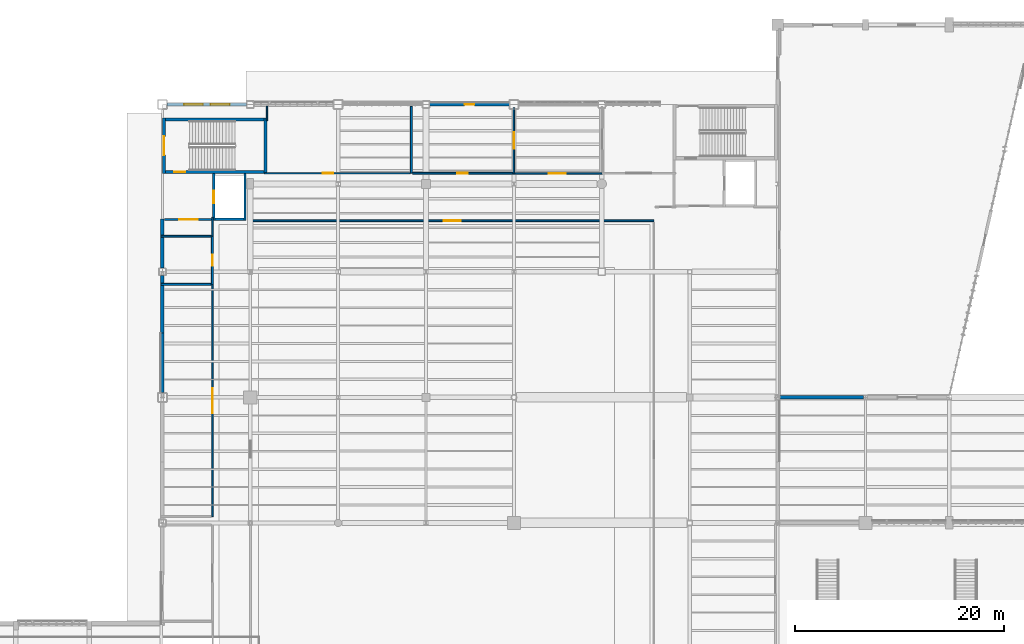
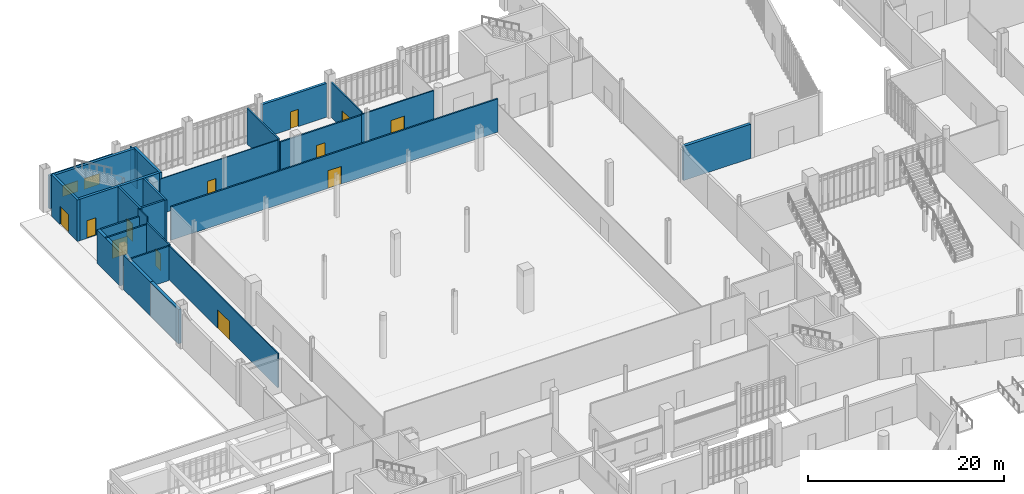
# One storey, part 89 of 111: 26 walls, 12 doors, 2 windows, 14 openings.
"""IFC4 building model written with IfcOpenShell, lengths in metres."""

import ifcopenshell
import ifcopenshell.guid

model = None  # the IFC model being written
_history = None  # IfcOwnerHistory: only IFC2X3 demands one
_inside = {}  # id of a spatial element -> (the spatial element, [elements in it])
_under = {}  # id of a project, library or spatial element -> (it, [spatial elements below it])
_declared = {}  # id of a project -> (the project, [libraries it declares])
_typed = {}  # id of a type object -> (the type object, [elements of that type])
_made_of = {}  # id of a material, layer set ... -> (it, [elements and type objects made of it])


def new_model(schema):
    """Start an empty IFC model of exactly this schema.

    Asked for "IFC4X3", IfcOpenShell would pick the latest addendum, in which some entities
    have other attributes; the version numbers below select the first issue.
    IFC2X3 requires an IfcOwnerHistory on every rooted entity: one is made here for all.
    """
    global model, _history
    if schema == "IFC4X3":
        model = ifcopenshell.file(schema_version=(4, 3, 0, 0))
    else:
        model = ifcopenshell.file(schema=schema)
    _inside.clear()
    _under.clear()
    _declared.clear()
    _typed.clear()
    _made_of.clear()
    _history = None
    if model.schema == "IFC2X3":
        org = make("IfcOrganization", Name="unknown")
        user = make(
            "IfcPersonAndOrganization",
            ThePerson=make("IfcPerson", FamilyName="unknown"),
            TheOrganization=org,
        )
        app = make(
            "IfcApplication",
            ApplicationDeveloper=org,
            Version="unknown",
            ApplicationFullName="unknown",
            ApplicationIdentifier="unknown",
        )
        _history = make(
            "IfcOwnerHistory",
            OwningUser=user,
            OwningApplication=app,
            ChangeAction="ADDED",
            CreationDate=0,
        )
    return model


def make(cls, **values):
    """One entity of the class cls with the attributes given. An attribute that is None is left unset."""
    return model.create_entity(
        cls, **{name: value for name, value in values.items() if value is not None}
    )


def rooted(cls, **values):
    """An entity with a GlobalId (a new one), such as an element, a storey or a relation."""
    return make(cls, GlobalId=ifcopenshell.guid.new(), OwnerHistory=_history, **values)


def si_unit(unit_type, name, prefix=None):
    """IfcSIUnit, for example si_unit("LENGTHUNIT", "METRE", prefix="MILLI")."""
    return make("IfcSIUnit", UnitType=unit_type, Prefix=prefix, Name=name)


def assignment(units):
    """IfcUnitAssignment: the units of a project."""
    return None if units is None else make("IfcUnitAssignment", Units=units)


def point(xyz):
    """IfcCartesianPoint."""
    return None if xyz is None else make("IfcCartesianPoint", Coordinates=xyz)


def direction(xyz):
    """IfcDirection."""
    return None if xyz is None else make("IfcDirection", DirectionRatios=xyz)


def frame(location, z_axis=None, x_axis=None):
    """IfcAxis2Placement3D, a coordinate frame: its origin and axes. An axis left out is left unset."""
    return make(
        "IfcAxis2Placement3D",
        Location=point(location),
        Axis=direction(z_axis),
        RefDirection=direction(x_axis),
    )


def frame_2d(location, x_axis=None):
    """IfcAxis2Placement2D, a coordinate frame in the plane: its origin and x axis."""
    return make(
        "IfcAxis2Placement2D", Location=point(location), RefDirection=direction(x_axis)
    )


def origin():
    """The frame at (0, 0, 0) with its axes left unset."""
    return frame((0.0, 0.0, 0.0))


def place(relative_to, where):
    """IfcLocalPlacement: puts the frame where relative to a parent placement (None: the world)."""
    return make(
        "IfcLocalPlacement", PlacementRelTo=relative_to, RelativePlacement=where
    )


def context(
    kind, dimensions, precision=None, world=None, true_north=None, identifier=None
):
    """IfcGeometricRepresentationContext, for example the 3D "Model" context."""
    return make(
        "IfcGeometricRepresentationContext",
        ContextIdentifier=identifier,
        ContextType=kind,
        CoordinateSpaceDimension=dimensions,
        Precision=precision,
        WorldCoordinateSystem=world,
        TrueNorth=true_north,
    )


def subcontext(parent, identifier, kind, view, scale=None):
    """IfcGeometricRepresentationSubContext, for example "Body" below "Model"."""
    return make(
        "IfcGeometricRepresentationSubContext",
        ContextIdentifier=identifier,
        ContextType=kind,
        ParentContext=parent,
        TargetScale=scale,
        TargetView=view,
    )


def project(units=None, contexts=None):
    """IfcProject with its units and contexts."""
    return rooted(
        "IfcProject",
        Name="project",
        RepresentationContexts=contexts,
        UnitsInContext=assignment(units),
    )


def spatial(cls, under=None, at=None, **own):
    """A site, building, storey or space (cls), placed at a placement, below another one or the project."""
    s = rooted(cls, ObjectPlacement=at, **own)
    if under is not None:
        _under.setdefault(under.id(), (under, []))[1].append(s)
    return s


def profile(cls, at=None, kind="AREA", **sizes):
    """A parametric profile (cls). Its sizes go by their IFC names, for example OverallWidth=200.0."""
    return make(cls, ProfileType=kind, Position=at, **sizes)


def rectangle(**sizes):
    """IfcRectangleProfileDef."""
    return profile("IfcRectangleProfileDef", **sizes)


def extrude(swept, where, along, depth):
    """IfcExtrudedAreaSolid: the profile swept, set in the frame where, extruded along a direction by depth."""
    return make(
        "IfcExtrudedAreaSolid",
        SweptArea=swept,
        Position=where,
        ExtrudedDirection=direction(along),
        Depth=depth,
    )


def shape(context_of_items, identifier, shape_type, items):
    """IfcShapeRepresentation: the items that make up one representation, for example the "Body"."""
    return make(
        "IfcShapeRepresentation",
        ContextOfItems=context_of_items,
        RepresentationIdentifier=identifier,
        RepresentationType=shape_type,
        Items=items,
    )


def material(Name=None, Category=None):
    """IfcMaterial."""
    return make("IfcMaterial", Name=Name, Category=Category)


def layer(
    of_material, thickness, ventilated=None, Name=None, Category=None, Priority=None
):
    """IfcMaterialLayer: one layer of a wall or slab, of a material (None: an air gap)."""
    return make(
        "IfcMaterialLayer",
        Material=of_material,
        LayerThickness=thickness,
        IsVentilated=ventilated,
        Name=Name,
        Category=Category,
        Priority=Priority,
    )


def layer_set(layers, Name=None):
    """IfcMaterialLayerSet."""
    return make("IfcMaterialLayerSet", MaterialLayers=layers, LayerSetName=Name)


def made_of(thing, what):
    """Note that an element or type object is made of a material, layer set ...; save() writes the relation."""
    if what is not None:
        _made_of.setdefault(what.id(), (what, []))[1].append(thing)
    return thing


def type_object(cls, material=None, **own):
    """A type object (cls), such as IfcWallType, which elements share."""
    return made_of(rooted(cls, **own), material)


def element(
    cls,
    number,
    at=None,
    inside=None,
    cuts=None,
    type_object=None,
    material=None,
    context=None,
    identifier="Body",
    shape_type=None,
    held_by="IfcProductDefinitionShape",
    body=None,
    shapes=None,
    **own,
):
    """One element of the class cls, such as IfcWall. Its Tag is "e" and its number.

    at: its placement. inside: the storey or other place that contains it. cuts: it is an
    opening in that element (IfcRelVoidsElement). A single representation is given by context,
    identifier, shape_type and body (its items); several are given by shapes. held_by: the class
    of the entity that holds the representations. save() writes the other relations.
    """
    e = rooted(cls, Tag="e%d" % number, ObjectPlacement=at, **own)
    if body is not None:
        shapes = [shape(context, identifier, shape_type, body)]
    if shapes is not None:
        e.Representation = make(held_by, Representations=shapes)
    if inside is not None:
        _inside.setdefault(inside.id(), (inside, []))[1].append(e)
    if cuts is not None:
        rooted(
            "IfcRelVoidsElement", RelatingBuildingElement=cuts, RelatedOpeningElement=e
        )
    if type_object is not None:
        _typed.setdefault(type_object.id(), (type_object, []))[1].append(e)
    return made_of(e, material)


def fill(opening, filler):
    """IfcRelFillsElement: the door or window that sits in an opening."""
    return rooted(
        "IfcRelFillsElement",
        RelatingOpeningElement=opening,
        RelatedBuildingElement=filler,
    )


def aggregate(whole, parts):
    """IfcRelAggregates: a whole, such as a stair, and the parts it consists of."""
    return rooted("IfcRelAggregates", RelatingObject=whole, RelatedObjects=parts)


def save(model, path):
    """Write the relations noted so far, then the file.

    IfcRelAggregates (storeys below a building ...), IfcRelContainedInSpatialStructure (elements
    in a storey), IfcRelDefinesByType, IfcRelAssociatesMaterial and IfcRelDeclares: one each for
    every whole, place, type object, material and project.
    """
    for whole, parts in _under.values():
        aggregate(whole, parts)
    for where, things in _inside.values():
        rooted(
            "IfcRelContainedInSpatialStructure",
            RelatedElements=things,
            RelatingStructure=where,
        )
    for kind, things in _typed.values():
        rooted("IfcRelDefinesByType", RelatedObjects=things, RelatingType=kind)
    for what, things in _made_of.values():
        rooted("IfcRelAssociatesMaterial", RelatedObjects=things, RelatingMaterial=what)
    for by, libraries in _declared.values():
        rooted("IfcRelDeclares", RelatingContext=by, RelatedDefinitions=libraries)
    model.write(path)


model = new_model("IFC4")

# Units and contexts
model_context = context("Model", 3, precision=1e-05, world=origin(), true_north=direction((0.0, 1.0)))
body_context = subcontext(model_context, "Body", "Model", "MODEL_VIEW")
ifc_project = project(units=[si_unit("LENGTHUNIT", "METRE"), si_unit("AREAUNIT", "SQUARE_METRE"), si_unit("VOLUMEUNIT", "CUBIC_METRE"), si_unit("PLANEANGLEUNIT", "RADIAN"), si_unit("MASSUNIT", "GRAM", prefix="KILO")], contexts=[model_context])

# Site, building, storey
site_placement = place(None, origin())
site = spatial("IfcSite", under=ifc_project, at=site_placement, CompositionType="ELEMENT")
building_placement = place(site_placement, origin())
building = spatial("IfcBuilding", under=site, at=building_placement, Name="Larkvane Passage Sports Hall", CompositionType="ELEMENT")
storey_placement = place(building_placement, origin())
storey = spatial("IfcBuildingStorey", under=building, at=storey_placement, Name="L00", CompositionType="ELEMENT", Elevation=0.0)

# Wall
ifc_material_1 = material(Name="Concrete C50/60", Category="concrete")
ifc_layer_1 = layer(ifc_material_1, 0.340087890625)
ifc_layer_set_1 = layer_set([ifc_layer_1], Name="Concrete C50/60")
wall_type_1 = type_object("IfcWallType", Name="WL-CORE-340", PredefinedType="SHEAR", material=ifc_layer_set_1)
wall_1_placement = place(storey_placement, frame((44.64990234375, 90.300048828125, 0.0), z_axis=(0.0, 0.0, 1.0), x_axis=(0.0, -1.0, 0.0)))
element("IfcWall", 1, at=wall_1_placement, inside=storey, type_object=wall_type_1, Name="Core shear wall WAL-CORE-C2-L00-E", PredefinedType="SHEAR", context=body_context, shape_type="SweptSolid", body=[
    extrude(rectangle(XDim=5.300048828125, YDim=0.300048828125, at=frame_2d((2.64990234375, 0.0))), origin(), (0.0, 0.0, 1.0), 5.169921875),
])

# Wall, opening, door
wall_2_placement = place(storey_placement, frame((44.5, 85.14990234375, 0.0), z_axis=(0.0, 0.0, 1.0), x_axis=(-1.0, 0.0, 0.0)))
wall_2 = element("IfcWall", 2, at=wall_2_placement, inside=storey, type_object=wall_type_1, Name="Core shear wall WAL-CORE-C2-L00-S", PredefinedType="SHEAR", context=body_context, shape_type="SweptSolid", body=[
    extrude(rectangle(XDim=9.39990234375, YDim=0.300048828125, at=frame_2d((4.699951171875, 0.0))), origin(), (0.0, 0.0, 1.0), 5.169921875),
])
opening_1_placement = place(wall_2_placement, frame((7.5, 0.0, 0.0)))
opening_1 = element("IfcOpeningElement", 3, at=opening_1_placement, cuts=wall_2, Name="Opening DF-01", PredefinedType="OPENING", context=body_context, shape_type="SweptSolid", body=[
    extrude(rectangle(XDim=1.050048828125, YDim=2.199951171875, at=frame_2d((0.52490234375, 1.10009765625))), frame((0.0, 0.159912109375, 0.0), z_axis=(0.0, -1.0, 0.0), x_axis=(1.0, 0.0, 0.0)), (0.0, 0.0, 1.0), 0.320068359375),
])
ifc_material_2 = material(Name="Steel S355JR smoke-sealed fire door", Category="steel")
door_type_1 = type_object("IfcDoorType", Name="DR-FIRE-1050", OperationType="NOTDEFINED", PredefinedType="DOOR", material=ifc_material_2)
door_1_placement = place(opening_1_placement, origin())
door_1 = element("IfcDoor", 4, at=door_1_placement, inside=storey, type_object=door_type_1, Name="Stair ST-02 L00 fire door", OperationType="SINGLE_SWING_RIGHT", OverallHeight=2.199951171875, OverallWidth=1.050048828125, PredefinedType="DOOR", context=body_context, shape_type="SweptSolid", body=[
    extrude(rectangle(XDim=1.050048828125, YDim=2.199951171875, at=frame_2d((0.52490234375, 1.10009765625))), frame((0.0, 0.02490234375, 0.0), z_axis=(0.0, -1.0, 0.0), x_axis=(1.0, 0.0, 0.0)), (0.0, 0.0, 1.0), 0.050048828125),
])
fill(opening_1, door_1)

# Wall
wall_3_placement = place(storey_placement, frame((35.10009765625, 90.14990234375, 0.0), z_axis=(0.0, 0.0, 1.0), x_axis=(1.0, 0.0, 0.0)))
element("IfcWall", 5, at=wall_3_placement, inside=storey, type_object=wall_type_1, Name="Core shear wall WAL-CORE-C2-L00-N", PredefinedType="SHEAR", context=body_context, shape_type="SweptSolid", body=[
    extrude(rectangle(XDim=9.39990234375, YDim=0.300048828125, at=frame_2d((4.699951171875, 0.0))), origin(), (0.0, 0.0, 1.0), 5.169921875),
])

# Wall, opening, door
ifc_layer_2 = layer(ifc_material_1, 0.340087890625)
ifc_layer_set_2 = layer_set([ifc_layer_2], Name="Concrete C50/60")
wall_type_2 = type_object("IfcWallType", Name="WL-CORE-EXT-340", PredefinedType="SHEAR", material=ifc_layer_set_2)
wall_4_placement = place(storey_placement, frame((34.949951171875, 85.0, 0.0), z_axis=(0.0, 0.0, 1.0), x_axis=(0.0, 1.0, 0.0)))
wall_4 = element("IfcWall", 6, at=wall_4_placement, inside=storey, type_object=wall_type_2, Name="Core shear wall WAL-CORE-C2-L00-W", PredefinedType="SHEAR", context=body_context, shape_type="SweptSolid", body=[
    extrude(rectangle(XDim=5.300048828125, YDim=0.300048828125, at=frame_2d((2.64990234375, 0.0))), origin(), (0.0, 0.0, 1.0), 5.169921875),
])
opening_2_placement = place(wall_4_placement, frame((1.75, 0.0, 0.0)))
opening_2 = element("IfcOpeningElement", 7, at=opening_2_placement, cuts=wall_4, Name="Opening DE-03", PredefinedType="OPENING", context=body_context, shape_type="SweptSolid", body=[
    extrude(rectangle(XDim=1.800048828125, YDim=2.25, at=frame_2d((0.89990234375, 1.125))), frame((0.0, 0.159912109375, 0.0), z_axis=(0.0, -1.0, 0.0), x_axis=(1.0, 0.0, 0.0)), (0.0, 0.0, 1.0), 0.320068359375),
])
ifc_material_3 = material(Name="Galvanised steel S355JR fire exit leaf", Category="steel")
door_type_2 = type_object("IfcDoorType", Name="DR-EXIT-1800", OperationType="DOUBLE_DOOR_SINGLE_SWING", PredefinedType="DOOR", material=ifc_material_3)
door_2_placement = place(opening_2_placement, origin())
door_2 = element("IfcDoor", 8, at=door_2_placement, inside=storey, type_object=door_type_2, Name="Stair ST-02 L00 direct final exit door", OperationType="DOUBLE_DOOR_SINGLE_SWING", OverallHeight=2.25, OverallWidth=1.800048828125, PredefinedType="DOOR", context=body_context, shape_type="SweptSolid", body=[
    extrude(rectangle(XDim=1.800048828125, YDim=2.25, at=frame_2d((0.89990234375, 1.125))), frame((0.0, 0.02490234375, 0.0), z_axis=(0.0, -1.0, 0.0), x_axis=(1.0, 0.0, 0.0)), (0.0, 0.0, 1.0), 0.050048828125),
])
fill(opening_2, door_2)

# Wall, openings, windows
ifc_material_4 = material(Name="Concrete C40/50", Category="concrete")
ifc_layer_3 = layer(ifc_material_4, 0.27490234375)
ifc_layer_set_3 = layer_set([ifc_layer_3], Name="Concrete C40/50")
wall_type_3 = type_object("IfcWallType", Name="WL-EXT-275", PredefinedType="SOLIDWALL", material=ifc_layer_set_3)
wall_5_placement = place(storey_placement, frame((35.24609375, 91.60009765625, 0.0), z_axis=(0.0, 0.0, 1.0), x_axis=(1.0, 0.0, 0.0)))
wall_5 = element("IfcWall", 9, at=wall_5_placement, inside=storey, type_object=wall_type_3, Name="Exterior wall WAL-EXT-L00-019", PredefinedType="SOLIDWALL", context=body_context, shape_type="SweptSolid", body=[
    extrude(rectangle(XDim=7.60791015625, YDim=0.27490234375, at=frame_2d((3.803955078125, 0.0))), origin(), (0.0, 0.0, 1.0), 4.117919921875),
])
opening_3_placement = place(wall_5_placement, frame((1.635986328125, 0.0, 0.89990234375)))
opening_3 = element("IfcOpeningElement", 10, at=opening_3_placement, cuts=wall_5, Name="Opening W-10", PredefinedType="OPENING", context=body_context, shape_type="SweptSolid", body=[
    extrude(rectangle(XDim=1.800048828125, YDim=1.35009765625, at=frame_2d((0.89990234375, 0.675048828125))), frame((0.0, 0.1474609375, 0.0), z_axis=(0.0, -1.0, 0.0), x_axis=(1.0, 0.0, 0.0)), (0.0, 0.0, 1.0), 0.294921875),
])
opening_4_placement = place(wall_5_placement, frame((4.172119140625, 0.0, 0.89990234375)))
opening_4 = element("IfcOpeningElement", 11, at=opening_4_placement, cuts=wall_5, Name="Opening W-10", PredefinedType="OPENING", context=body_context, shape_type="SweptSolid", body=[
    extrude(rectangle(XDim=1.800048828125, YDim=1.35009765625, at=frame_2d((0.89990234375, 0.675048828125))), frame((0.0, 0.1474609375, 0.0), z_axis=(0.0, -1.0, 0.0), x_axis=(1.0, 0.0, 0.0)), (0.0, 0.0, 1.0), 0.294921875),
])
ifc_material_5 = material(Name="Thermally broken aluminium and laminated low-E glass", Category="aluminium")
window_type = type_object("IfcWindowType", Name="WN-CAS-1800x1350", PartitioningType="DOUBLE_PANEL_VERTICAL", PredefinedType="WINDOW", material=ifc_material_5)
window_1_placement = place(opening_3_placement, origin())
window_1 = element("IfcWindow", 12, at=window_1_placement, inside=storey, type_object=window_type, Name="Window L00-001", OverallHeight=1.35009765625, OverallWidth=1.800048828125, PartitioningType="DOUBLE_PANEL_VERTICAL", PredefinedType="WINDOW", context=body_context, shape_type="SweptSolid", body=[
    extrude(rectangle(XDim=1.800048828125, YDim=1.35009765625, at=frame_2d((0.89990234375, 0.675048828125))), frame((0.0, 0.030029296875, 0.0), z_axis=(0.0, -1.0, 0.0), x_axis=(1.0, 0.0, 0.0)), (0.0, 0.0, 1.0), 0.06005859375),
])
fill(opening_3, window_1)
window_2_placement = place(opening_4_placement, origin())
window_2 = element("IfcWindow", 13, at=window_2_placement, inside=storey, type_object=window_type, Name="Window L00-002", OverallHeight=1.35009765625, OverallWidth=1.800048828125, PartitioningType="DOUBLE_PANEL_VERTICAL", PredefinedType="WINDOW", context=body_context, shape_type="SweptSolid", body=[
    extrude(rectangle(XDim=1.800048828125, YDim=1.35009765625, at=frame_2d((0.89990234375, 0.675048828125))), frame((0.0, 0.030029296875, 0.0), z_axis=(0.0, -1.0, 0.0), x_axis=(1.0, 0.0, 0.0)), (0.0, 0.0, 1.0), 0.06005859375),
])
fill(opening_4, window_2)

# Wall, opening, door
ifc_material_6 = material(Name="Precast concrete C45/55", Category="concrete")
ifc_layer_4 = layer(ifc_material_6, 0.31005859375)
ifc_layer_set_4 = layer_set([ifc_layer_4], Name="Precast concrete C45/55")
wall_type_4 = type_object("IfcWallType", Name="WL-EXT-310", PredefinedType="SOLIDWALL", material=ifc_layer_set_4)
wall_6_placement = place(storey_placement, frame((60.345947265625, 91.60009765625, 0.0), z_axis=(0.0, 0.0, 1.0), x_axis=(1.0, 0.0, 0.0)))
wall_6 = element("IfcWall", 14, at=wall_6_placement, inside=storey, type_object=wall_type_4, Name="Exterior wall WAL-EXT-L00-020", PredefinedType="SOLIDWALL", context=body_context, shape_type="SweptSolid", body=[
    extrude(rectangle(XDim=7.608154296875, YDim=0.31005859375, at=frame_2d((3.80419921875, 0.0))), origin(), (0.0, 0.0, 1.0), 4.218017578125),
])
opening_5_placement = place(wall_6_placement, frame((3.3291015625, 0.0, 0.0)))
opening_5 = element("IfcOpeningElement", 15, at=opening_5_placement, cuts=wall_6, Name="Opening DE-08", PredefinedType="OPENING", context=body_context, shape_type="SweptSolid", body=[
    extrude(rectangle(XDim=0.949951171875, YDim=2.14990234375, at=frame_2d((0.47509765625, 1.074951171875))), frame((0.0, 0.1650390625, 0.0), z_axis=(0.0, -1.0, 0.0), x_axis=(1.0, 0.0, 0.0)), (0.0, 0.0, 1.0), 0.330078125),
])
door_type_3 = type_object("IfcDoorType", Name="DR-FIRE-950", OperationType="NOTDEFINED", PredefinedType="DOOR", material=ifc_material_3)
door_3_placement = place(opening_5_placement, origin())
door_3 = element("IfcDoor", 16, at=door_3_placement, inside=storey, type_object=door_type_3, Name="Exterior door L00-009", OperationType="SINGLE_SWING_RIGHT", OverallHeight=2.14990234375, OverallWidth=0.949951171875, PredefinedType="DOOR", context=body_context, shape_type="SweptSolid", body=[
    extrude(rectangle(XDim=0.949951171875, YDim=2.14990234375, at=frame_2d((0.47509765625, 1.074951171875))), frame((0.0, 0.02490234375, 0.0), z_axis=(0.0, -1.0, 0.0), x_axis=(1.0, 0.0, 0.0)), (0.0, 0.0, 1.0), 0.050048828125),
])
fill(opening_5, door_3)

# Walls
ifc_layer_5 = layer(ifc_material_6, 0.344970703125)
ifc_layer_set_5 = layer_set([ifc_layer_5], Name="Precast concrete C45/55")
wall_type_5 = type_object("IfcWallType", Name="WL-EXT-345", PredefinedType="SOLIDWALL", material=ifc_layer_set_5)
wall_7_placement = place(storey_placement, frame((34.800048828125, 64.0458984375, 0.0), z_axis=(0.0, 0.0, 1.0), x_axis=(0.0, 1.0, 0.0)))
element("IfcWall", 17, at=wall_7_placement, inside=storey, type_object=wall_type_5, Name="Exterior wall WAL-EXT-L00-016", PredefinedType="SOLIDWALL", context=body_context, shape_type="SweptSolid", body=[
    extrude(rectangle(XDim=5.7197265625, YDim=0.344970703125, at=frame_2d((2.85986328125, 0.0))), origin(), (0.0, 0.0, 1.0), 4.26806640625),
])
wall_8_placement = place(storey_placement, frame((34.800048828125, 69.434326171875, 0.0), z_axis=(0.0, 0.0, 1.0), x_axis=(0.0, 1.0, 0.0)))
element("IfcWall", 18, at=wall_8_placement, inside=storey, type_object=wall_type_5, Name="Exterior wall WAL-EXT-L00-017", PredefinedType="SOLIDWALL", context=body_context, shape_type="SweptSolid", body=[
    extrude(rectangle(XDim=5.819580078125, YDim=0.344970703125, at=frame_2d((2.90966796875, 0.0))), origin(), (0.0, 0.0, 1.0), 4.26806640625),
])
wall_9_placement = place(storey_placement, frame((34.800048828125, 75.946044921875, 0.0), z_axis=(0.0, 0.0, 1.0), x_axis=(0.0, 1.0, 0.0)))
element("IfcWall", 19, at=wall_9_placement, inside=storey, type_object=wall_type_5, Name="Exterior wall WAL-EXT-L00-018", PredefinedType="SOLIDWALL", context=body_context, shape_type="SweptSolid", body=[
    extrude(rectangle(XDim=4.70947265625, YDim=0.344970703125, at=frame_2d((2.354736328125, 0.0))), origin(), (0.0, 0.0, 1.0), 4.176025390625),
])
wall_10_placement = place(storey_placement, frame((101.801513671875, 63.60009765625, 0.0), z_axis=(0.0, 0.0, 1.0), x_axis=(-1.0, 0.0, 0.0)))
element("IfcWall", 20, at=wall_10_placement, inside=storey, type_object=wall_type_5, Name="Exterior wall WAL-EXT-L00-027", PredefinedType="SOLIDWALL", context=body_context, shape_type="SweptSolid", body=[
    extrude(rectangle(XDim=7.951416015625, YDim=0.344970703125, at=frame_2d((3.9755859375, 0.0))), origin(), (0.0, 0.0, 1.0), 4.26806640625),
])

# Wall, opening, door
ifc_layer_6 = layer(ifc_material_4, 0.199951171875)
ifc_layer_set_6 = layer_set([ifc_layer_6], Name="Concrete C40/50")
wall_type_6 = type_object("IfcWallType", Name="WL-LOBBY-200", PredefinedType="SOLIDWALL", material=ifc_layer_set_6)
wall_11_placement = place(storey_placement, frame((35.0, 80.60009765625, 0.0), z_axis=(0.0, 0.0, 1.0), x_axis=(1.0, 0.0, 0.0)))
wall_11 = element("IfcWall", 21, at=wall_11_placement, inside=storey, type_object=wall_type_6, Name="Protected stair lobby wall C2 L00", PredefinedType="SOLIDWALL", context=body_context, shape_type="SweptSolid", body=[
    extrude(rectangle(XDim=4.60009765625, YDim=0.199951171875, at=frame_2d((2.300048828125, 0.0))), origin(), (0.0, 0.0, 1.0), 4.177978515625),
])
opening_6_placement = place(wall_11_placement, frame((1.39990234375, 0.0, 0.0)))
opening_6 = element("IfcOpeningElement", 22, at=opening_6_placement, cuts=wall_11, Name="Opening DF-02", PredefinedType="OPENING", context=body_context, shape_type="SweptSolid", body=[
    extrude(rectangle(XDim=1.800048828125, YDim=2.199951171875, at=frame_2d((0.89990234375, 1.10009765625))), frame((0.0, 0.10986328125, 0.0), z_axis=(0.0, -1.0, 0.0), x_axis=(1.0, 0.0, 0.0)), (0.0, 0.0, 1.0), 0.219970703125),
])
ifc_material_7 = material(Name="Steel S355JR double smoke-sealed fire door", Category="steel")
door_type_4 = type_object("IfcDoorType", Name="DR-FIRE-1800", OperationType="DOUBLE_DOOR_SINGLE_SWING", PredefinedType="DOOR", material=ifc_material_7)
door_4_placement = place(opening_6_placement, origin())
door_4 = element("IfcDoor", 23, at=door_4_placement, inside=storey, type_object=door_type_4, Name="Lobby smoke door C2 L00", OperationType="DOUBLE_DOOR_SINGLE_SWING", OverallHeight=2.199951171875, OverallWidth=1.800048828125, PredefinedType="DOOR", context=body_context, shape_type="SweptSolid", body=[
    extrude(rectangle(XDim=1.800048828125, YDim=2.199951171875, at=frame_2d((0.89990234375, 1.10009765625))), frame((0.0, 0.02490234375, 0.0), z_axis=(0.0, -1.0, 0.0), x_axis=(1.0, 0.0, 0.0)), (0.0, 0.0, 1.0), 0.050048828125),
])
fill(opening_6, door_4)

ifc_material_8 = material(Name="Gypsum twin-stud acoustic partition")
ifc_layer_7 = layer(ifc_material_8, 0.10009765625)
ifc_layer_set_7 = layer_set([ifc_layer_7], Name="Gypsum twin-stud acoustic partition")
wall_type_7 = type_object("IfcWallType", Name="WL-PART-100", PredefinedType="PARTITIONING", material=ifc_layer_set_7)
wall_12_placement = place(storey_placement, frame((58.47998046875, 85.02001953125, 0.0), z_axis=(0.0, 0.0, 1.0), x_axis=(-1.0, 0.0, 0.0)))
wall_12 = element("IfcWall", 24, at=wall_12_placement, inside=storey, type_object=wall_type_7, Name="Interior partition WAL-PART-L00-0056", PredefinedType="PARTITIONING", context=body_context, shape_type="SweptSolid", body=[
    extrude(rectangle(XDim=13.93994140625, YDim=0.10009765625, at=frame_2d((6.969970703125, 0.0))), origin(), (0.0, 0.0, 1.0), 4.387939453125),
])
opening_7_placement = place(wall_12_placement, frame((7.343994140625, 0.0, 0.0)))
opening_7 = element("IfcOpeningElement", 25, at=opening_7_placement, cuts=wall_12, Name="Opening DI-01", PredefinedType="OPENING", context=body_context, shape_type="SweptSolid", body=[
    extrude(rectangle(XDim=1.0, YDim=2.14990234375, at=frame_2d((0.5, 1.074951171875))), frame((0.0, 0.06005859375, 0.0), z_axis=(0.0, -1.0, 0.0), x_axis=(1.0, 0.0, 0.0)), (0.0, 0.0, 1.0), 0.1201171875),
])
ifc_material_9 = material(Name="Solid-core hardwood acoustic door", Category="wood")
door_type_5 = type_object("IfcDoorType", Name="DR-INT-1000", OperationType="NOTDEFINED", PredefinedType="DOOR", material=ifc_material_9)
door_5_placement = place(opening_7_placement, origin())
door_5 = element("IfcDoor", 26, at=door_5_placement, inside=storey, type_object=door_type_5, Name="Interior door L00-0024", OperationType="SINGLE_SWING_RIGHT", OverallHeight=2.14990234375, OverallWidth=1.0, PredefinedType="DOOR", context=body_context, shape_type="SweptSolid", body=[
    extrude(rectangle(XDim=1.0, YDim=2.14990234375, at=frame_2d((0.5, 1.074951171875))), frame((0.0, 0.02490234375, 0.0), z_axis=(0.0, -1.0, 0.0), x_axis=(1.0, 0.0, 0.0)), (0.0, 0.0, 1.0), 0.050048828125),
])
fill(opening_7, door_5)

# Wall
ifc_material_10 = material(Name="Gypsum twin-stud fire-rated partition")
ifc_layer_8 = layer(ifc_material_10, 0.125)
ifc_layer_set_8 = layer_set([ifc_layer_8], Name="Gypsum twin-stud fire-rated partition")
wall_type_8 = type_object("IfcWallType", Name="WL-PART-125", PredefinedType="PARTITIONING", material=ifc_layer_set_8)
wall_13_placement = place(storey_placement, frame((44.800048828125, 90.0400390625, 0.0), z_axis=(0.0, 0.0, 1.0), x_axis=(0.0, 1.0, 0.0)))
element("IfcWall", 27, at=wall_13_placement, inside=storey, type_object=wall_type_8, Name="Interior partition WAL-PART-L00-0057", PredefinedType="PARTITIONING", context=body_context, shape_type="SweptSolid", body=[
    extrude(rectangle(XDim=1.3798828125, YDim=0.125, at=frame_2d((0.68994140625, 0.0))), origin(), (0.0, 0.0, 1.0), 4.52001953125),
])

# Wall, opening, door
wall_14_placement = place(storey_placement, frame((39.580078125, 74.3798828125, 0.0), z_axis=(0.0, 0.0, 1.0), x_axis=(0.0, -1.0, 0.0)))
wall_14 = element("IfcWall", 28, at=wall_14_placement, inside=storey, type_object=wall_type_8, Name="Interior partition WAL-PART-L00-0068", PredefinedType="PARTITIONING", context=body_context, shape_type="SweptSolid", body=[
    extrude(rectangle(XDim=22.179931640625, YDim=0.125, at=frame_2d((11.08984375, 0.0))), origin(), (0.0, 0.0, 1.0), 4.27001953125),
])
opening_8_placement = place(wall_14_placement, frame((9.889892578125, 0.0, 0.0)))
opening_8 = element("IfcOpeningElement", 29, at=opening_8_placement, cuts=wall_14, Name="Opening FD-01", PredefinedType="OPENING", context=body_context, shape_type="SweptSolid", body=[
    extrude(rectangle(XDim=2.39990234375, YDim=2.300048828125, at=frame_2d((1.199951171875, 1.14990234375))), frame((0.0, 0.072509765625, 0.0), z_axis=(0.0, -1.0, 0.0), x_axis=(1.0, 0.0, 0.0)), (0.0, 0.0, 1.0), 0.14501953125),
])
ifc_material_11 = material(Name="Bi-fold steel S355JR equipment store door", Category="steel")
door_type_6 = type_object("IfcDoorType", Name="DR-FOLD-2400", OperationType="FOLDING_TO_LEFT", PredefinedType="DOOR", material=ifc_material_11)
door_6_placement = place(opening_8_placement, origin())
door_6 = element("IfcDoor", 30, at=door_6_placement, inside=storey, type_object=door_type_6, Name="Interior door L00-0020", OperationType="FOLDING_TO_LEFT", OverallHeight=2.300048828125, OverallWidth=2.39990234375, PredefinedType="DOOR", context=body_context, shape_type="SweptSolid", body=[
    extrude(rectangle(XDim=2.39990234375, YDim=2.300048828125, at=frame_2d((1.199951171875, 1.14990234375))), frame((0.0, 0.02490234375, 0.0), z_axis=(0.0, -1.0, 0.0), x_axis=(1.0, 0.0, 0.0)), (0.0, 0.0, 1.0), 0.050048828125),
])
fill(opening_8, door_6)

# Wall
wall_15_placement = place(storey_placement, frame((39.60009765625, 79.0, 0.0), z_axis=(0.0, 0.0, 1.0), x_axis=(0.0, 1.0, 0.0)))
element("IfcWall", 31, at=wall_15_placement, inside=storey, type_object=wall_type_8, Name="Interior partition WAL-PART-L00-0097", PredefinedType="PARTITIONING", context=body_context, shape_type="SweptSolid", body=[
    extrude(rectangle(XDim=1.800048828125, YDim=0.125, at=frame_2d((0.89990234375, 0.0))), origin(), (0.0, 0.0, 1.0), 5.050048828125),
])

# Wall, opening, door
ifc_material_12 = material(Name="Gypsum acoustic partition")
ifc_layer_9 = layer(ifc_material_12, 0.14990234375)
ifc_layer_set_9 = layer_set([ifc_layer_9], Name="Gypsum acoustic partition")
wall_type_9 = type_object("IfcWallType", Name="WL-PART-150", PredefinedType="PARTITIONING", material=ifc_layer_set_9)
wall_16_placement = place(storey_placement, frame((68.39990234375, 91.2958984375, 0.0), z_axis=(0.0, 0.0, 1.0), x_axis=(0.0, -1.0, 0.0)))
wall_16 = element("IfcWall", 32, at=wall_16_placement, inside=storey, type_object=wall_type_9, Name="Interior partition WAL-PART-L00-0058", PredefinedType="PARTITIONING", context=body_context, shape_type="SweptSolid", body=[
    extrude(rectangle(XDim=6.27587890625, YDim=0.14990234375, at=frame_2d((3.137939453125, 0.0))), origin(), (0.0, 0.0, 1.0), 4.382080078125),
])
opening_9_placement = place(wall_16_placement, frame((2.337890625, 0.0, 0.0)))
opening_9 = element("IfcOpeningElement", 33, at=opening_9_placement, cuts=wall_16, Name="Opening DI-03", PredefinedType="OPENING", context=body_context, shape_type="SweptSolid", body=[
    extrude(rectangle(XDim=1.60009765625, YDim=2.199951171875, at=frame_2d((0.800048828125, 1.10009765625))), frame((0.0, 0.0849609375, 0.0), z_axis=(0.0, -1.0, 0.0), x_axis=(1.0, 0.0, 0.0)), (0.0, 0.0, 1.0), 0.169921875),
])
ifc_material_13 = material(Name="Glazed aluminium studio double door", Category="aluminium")
door_type_7 = type_object("IfcDoorType", Name="DR-INT-1600", OperationType="DOUBLE_DOOR_SINGLE_SWING", PredefinedType="DOOR", material=ifc_material_13)
door_7_placement = place(opening_9_placement, origin())
door_7 = element("IfcDoor", 34, at=door_7_placement, inside=storey, type_object=door_type_7, Name="Interior door L00-0039", OperationType="DOUBLE_DOOR_SINGLE_SWING", OverallHeight=2.199951171875, OverallWidth=1.60009765625, PredefinedType="DOOR", context=body_context, shape_type="SweptSolid", body=[
    extrude(rectangle(XDim=1.60009765625, YDim=2.199951171875, at=frame_2d((0.800048828125, 1.10009765625))), frame((0.0, 0.02490234375, 0.0), z_axis=(0.0, -1.0, 0.0), x_axis=(1.0, 0.0, 0.0)), (0.0, 0.0, 1.0), 0.050048828125),
])
fill(opening_9, door_7)

wall_17_placement = place(storey_placement, frame((68.280029296875, 85.0, 0.0), z_axis=(0.0, 0.0, 1.0), x_axis=(1.0, 0.0, 0.0)))
wall_17 = element("IfcWall", 35, at=wall_17_placement, inside=storey, type_object=wall_type_9, Name="Interior partition WAL-PART-L00-0102", PredefinedType="PARTITIONING", context=body_context, shape_type="SweptSolid", body=[
    extrude(rectangle(XDim=8.5400390625, YDim=0.14990234375, at=frame_2d((4.27001953125, 0.0))), origin(), (0.0, 0.0, 1.0), 4.169921875),
])
opening_10_placement = place(wall_17_placement, frame((3.469970703125, 0.0, 0.0)))
opening_10 = element("IfcOpeningElement", 36, at=opening_10_placement, cuts=wall_17, Name="Opening DI-03", PredefinedType="OPENING", context=body_context, shape_type="SweptSolid", body=[
    extrude(rectangle(XDim=1.60009765625, YDim=2.199951171875, at=frame_2d((0.800048828125, 1.10009765625))), frame((0.0, 0.0849609375, 0.0), z_axis=(0.0, -1.0, 0.0), x_axis=(1.0, 0.0, 0.0)), (0.0, 0.0, 1.0), 0.169921875),
])
door_8_placement = place(opening_10_placement, origin())
door_8 = element("IfcDoor", 37, at=door_8_placement, inside=storey, type_object=door_type_7, Name="Interior door L00-0038", OperationType="DOUBLE_DOOR_SINGLE_SWING", OverallHeight=2.199951171875, OverallWidth=1.60009765625, PredefinedType="DOOR", context=body_context, shape_type="SweptSolid", body=[
    extrude(rectangle(XDim=1.60009765625, YDim=2.199951171875, at=frame_2d((0.800048828125, 1.10009765625))), frame((0.0, 0.02490234375, 0.0), z_axis=(0.0, -1.0, 0.0), x_axis=(1.0, 0.0, 0.0)), (0.0, 0.0, 1.0), 0.050048828125),
])
fill(opening_10, door_8)

ifc_material_14 = material(Name="Gypsum high-bay court partition")
ifc_layer_10 = layer(ifc_material_14, 0.179931640625)
ifc_layer_set_10 = layer_set([ifc_layer_10], Name="Gypsum high-bay court partition")
wall_type_10 = type_object("IfcWallType", Name="WL-PART-180", PredefinedType="PARTITIONING", material=ifc_layer_set_10)
wall_18_placement = place(storey_placement, frame((43.219970703125, 80.47998046875, 0.0), z_axis=(0.0, 0.0, 1.0), x_axis=(1.0, 0.0, 0.0)))
wall_18 = element("IfcWall", 38, at=wall_18_placement, inside=storey, type_object=wall_type_10, Name="Interior partition WAL-PART-L00-0047", PredefinedType="PARTITIONING", context=body_context, shape_type="SweptSolid", body=[
    extrude(rectangle(XDim=38.56005859375, YDim=0.179931640625, at=frame_2d((19.280029296875, 0.0))), origin(), (0.0, 0.0, 1.0), 4.169921875),
])
opening_11_placement = place(wall_18_placement, frame((18.47998046875, 0.0, 0.0)))
opening_11 = element("IfcOpeningElement", 39, at=opening_11_placement, cuts=wall_18, Name="Opening DI-03", PredefinedType="OPENING", context=body_context, shape_type="SweptSolid", body=[
    extrude(rectangle(XDim=1.60009765625, YDim=2.199951171875, at=frame_2d((0.800048828125, 1.10009765625))), frame((0.0, 0.099853515625, 0.0), z_axis=(0.0, -1.0, 0.0), x_axis=(1.0, 0.0, 0.0)), (0.0, 0.0, 1.0), 0.199951171875),
])
door_9_placement = place(opening_11_placement, origin())
door_9 = element("IfcDoor", 40, at=door_9_placement, inside=storey, type_object=door_type_7, Name="Interior door L00-0017", OperationType="DOUBLE_DOOR_SINGLE_SWING", OverallHeight=2.199951171875, OverallWidth=1.60009765625, PredefinedType="DOOR", context=body_context, shape_type="SweptSolid", body=[
    extrude(rectangle(XDim=1.60009765625, YDim=2.199951171875, at=frame_2d((0.800048828125, 1.10009765625))), frame((0.0, 0.02490234375, 0.0), z_axis=(0.0, -1.0, 0.0), x_axis=(1.0, 0.0, 0.0)), (0.0, 0.0, 1.0), 0.050048828125),
])
fill(opening_11, door_9)

# Wall
wall_19_placement = place(storey_placement, frame((58.60009765625, 91.419921875, 0.0), z_axis=(0.0, 0.0, 1.0), x_axis=(0.0, -1.0, 0.0)))
element("IfcWall", 41, at=wall_19_placement, inside=storey, type_object=wall_type_10, Name="Interior partition WAL-PART-L00-0055", PredefinedType="PARTITIONING", context=body_context, shape_type="SweptSolid", body=[
    extrude(rectangle(XDim=6.39990234375, YDim=0.179931640625, at=frame_2d((3.199951171875, 0.0))), origin(), (0.0, 0.0, 1.0), 4.469970703125),
])

# Wall, opening, door
wall_20_placement = place(storey_placement, frame((68.280029296875, 85.02001953125, 0.0), z_axis=(0.0, 0.0, 1.0), x_axis=(-1.0, 0.0, 0.0)))
wall_20 = element("IfcWall", 42, at=wall_20_placement, inside=storey, type_object=wall_type_10, Name="Interior partition WAL-PART-L00-0059", PredefinedType="PARTITIONING", context=body_context, shape_type="SweptSolid", body=[
    extrude(rectangle(XDim=9.56005859375, YDim=0.179931640625, at=frame_2d((4.780029296875, 0.0))), origin(), (0.0, 0.0, 1.0), 4.080078125),
])
opening_12_placement = place(wall_20_placement, frame((4.280029296875, 0.0, 0.0)))
opening_12 = element("IfcOpeningElement", 43, at=opening_12_placement, cuts=wall_20, Name="Opening DI-01", PredefinedType="OPENING", context=body_context, shape_type="SweptSolid", body=[
    extrude(rectangle(XDim=1.0, YDim=2.14990234375, at=frame_2d((0.5, 1.074951171875))), frame((0.0, 0.099853515625, 0.0), z_axis=(0.0, -1.0, 0.0), x_axis=(1.0, 0.0, 0.0)), (0.0, 0.0, 1.0), 0.199951171875),
])
door_10_placement = place(opening_12_placement, origin())
door_10 = element("IfcDoor", 44, at=door_10_placement, inside=storey, type_object=door_type_5, Name="Interior door L00-0029", OperationType="SINGLE_SWING_RIGHT", OverallHeight=2.14990234375, OverallWidth=1.0, PredefinedType="DOOR", context=body_context, shape_type="SweptSolid", body=[
    extrude(rectangle(XDim=1.0, YDim=2.14990234375, at=frame_2d((0.5, 1.074951171875))), frame((0.0, 0.02490234375, 0.0), z_axis=(0.0, -1.0, 0.0), x_axis=(1.0, 0.0, 0.0)), (0.0, 0.0, 1.0), 0.050048828125),
])
fill(opening_12, door_10)

ifc_material_15 = material(Name="Moisture-resistant shaftliner partition")
ifc_layer_11 = layer(ifc_material_15, 0.175048828125)
ifc_layer_set_11 = layer_set([ifc_layer_11], Name="Moisture-resistant shaftliner partition")
wall_type_11 = type_object("IfcWallType", Name="WL-PLUMB-175", PredefinedType="PLUMBINGWALL", material=ifc_layer_set_11)
wall_21_placement = place(storey_placement, frame((39.580078125, 79.0, 0.0), z_axis=(0.0, 0.0, 1.0), x_axis=(0.0, -1.0, 0.0)))
wall_21 = element("IfcWall", 45, at=wall_21_placement, inside=storey, type_object=wall_type_11, Name="Interior partition WAL-PART-L00-0062", PredefinedType="PLUMBINGWALL", context=body_context, shape_type="SweptSolid", body=[
    extrude(rectangle(XDim=4.60009765625, YDim=0.175048828125, at=frame_2d((2.300048828125, 0.0))), origin(), (0.0, 0.0, 1.0), 4.382080078125),
])
opening_13_placement = place(wall_21_placement, frame((1.77490234375, 0.0, 0.0)))
opening_13 = element("IfcOpeningElement", 46, at=opening_13_placement, cuts=wall_21, Name="Opening DI-04", PredefinedType="OPENING", context=body_context, shape_type="SweptSolid", body=[
    extrude(rectangle(XDim=1.050048828125, YDim=2.14990234375, at=frame_2d((0.52490234375, 1.074951171875))), frame((0.0, 0.097412109375, 0.0), z_axis=(0.0, -1.0, 0.0), x_axis=(1.0, 0.0, 0.0)), (0.0, 0.0, 1.0), 0.195068359375),
])
ifc_material_16 = material(Name="Accessible wide-leaf sanitary door")
door_type_8 = type_object("IfcDoorType", Name="DR-ACC-1050", OperationType="NOTDEFINED", PredefinedType="DOOR", material=ifc_material_16)
door_11_placement = place(opening_13_placement, origin())
door_11 = element("IfcDoor", 47, at=door_11_placement, inside=storey, type_object=door_type_8, Name="Interior door L00-0034", OperationType="SINGLE_SWING_LEFT", OverallHeight=2.14990234375, OverallWidth=1.050048828125, PredefinedType="DOOR", context=body_context, shape_type="SweptSolid", body=[
    extrude(rectangle(XDim=1.050048828125, YDim=2.14990234375, at=frame_2d((0.52490234375, 1.074951171875))), frame((0.0, 0.02490234375, 0.0), z_axis=(0.0, -1.0, 0.0), x_axis=(1.0, 0.0, 0.0)), (0.0, 0.0, 1.0), 0.050048828125),
])
fill(opening_13, door_11)

# Walls
wall_22_placement = place(storey_placement, frame((39.4599609375, 74.39990234375, 0.0), z_axis=(0.0, 0.0, 1.0), x_axis=(-1.0, 0.0, 0.0)))
element("IfcWall", 48, at=wall_22_placement, inside=storey, type_object=wall_type_11, Name="Interior partition WAL-PART-L00-0063", PredefinedType="PLUMBINGWALL", context=body_context, shape_type="SweptSolid", body=[
    extrude(rectangle(XDim=4.8115234375, YDim=0.175048828125, at=frame_2d((2.40576171875, 0.0))), origin(), (0.0, 0.0, 1.0), 4.27001953125),
])
wall_23_placement = place(storey_placement, frame((34.6484375, 79.0, 0.0), z_axis=(0.0, 0.0, 1.0), x_axis=(1.0, 0.0, 0.0)))
element("IfcWall", 49, at=wall_23_placement, inside=storey, type_object=wall_type_11, Name="Interior partition WAL-PART-L00-0064", PredefinedType="PLUMBINGWALL", context=body_context, shape_type="SweptSolid", body=[
    extrude(rectangle(XDim=4.8115234375, YDim=0.175048828125, at=frame_2d((2.40576171875, 0.0))), origin(), (0.0, 0.0, 1.0), 4.177978515625),
])

# Wall, opening, door
ifc_layer_12 = layer(ifc_material_4, 0.219970703125)
ifc_layer_set_12 = layer_set([ifc_layer_12], Name="Concrete C40/50")
wall_type_12 = type_object("IfcWallType", Name="WL-SHAFT-220", PredefinedType="SOLIDWALL", material=ifc_layer_set_12)
wall_24_placement = place(storey_placement, frame((39.7099609375, 80.5, 0.0), z_axis=(0.0, 0.0, 1.0), x_axis=(0.0, 1.0, 0.0)))
wall_24 = element("IfcWall", 50, at=wall_24_placement, inside=storey, type_object=wall_type_12, Name="Lift shaft front wall L-03 L00", PredefinedType="SOLIDWALL", context=body_context, shape_type="SweptSolid", body=[
    extrude(rectangle(XDim=4.5, YDim=0.219970703125, at=frame_2d((2.25, 0.0))), origin(), (0.0, 0.0, 1.0), 5.169921875),
])
opening_14_placement = place(wall_24_placement, frame((1.64990234375, 0.0, 0.0)))
opening_14 = element("IfcOpeningElement", 51, at=opening_14_placement, cuts=wall_24, Name="Opening LD-01", PredefinedType="OPENING", context=body_context, shape_type="SweptSolid", body=[
    extrude(rectangle(XDim=1.199951171875, YDim=2.199951171875, at=frame_2d((0.60009765625, 1.10009765625))), frame((0.0, 0.119873046875, 0.0), z_axis=(0.0, -1.0, 0.0), x_axis=(1.0, 0.0, 0.0)), (0.0, 0.0, 1.0), 0.239990234375),
])
ifc_material_17 = material(Name="Stainless steel S355JR lift landing door", Category="steel")
door_type_9 = type_object("IfcDoorType", Name="DR-LIFT-1200", OperationType="SLIDING_TO_LEFT", PredefinedType="DOOR", material=ifc_material_17)
door_12_placement = place(opening_14_placement, origin())
door_12 = element("IfcDoor", 52, at=door_12_placement, inside=storey, type_object=door_type_9, Name="Lift landing door L-03 L00", OperationType="SLIDING_TO_LEFT", OverallHeight=2.199951171875, OverallWidth=1.199951171875, PredefinedType="DOOR", context=body_context, shape_type="SweptSolid", body=[
    extrude(rectangle(XDim=1.199951171875, YDim=2.199951171875, at=frame_2d((0.60009765625, 1.10009765625))), frame((0.0, 0.02490234375, 0.0), z_axis=(0.0, -1.0, 0.0), x_axis=(1.0, 0.0, 0.0)), (0.0, 0.0, 1.0), 0.050048828125),
])
fill(opening_14, door_12)

# Walls
wall_25_placement = place(storey_placement, frame((42.68994140625, 80.5, 0.0), z_axis=(0.0, 0.0, 1.0), x_axis=(0.0, 1.0, 0.0)))
element("IfcWall", 53, at=wall_25_placement, inside=storey, type_object=wall_type_12, Name="Lift shaft rear wall L-03 L00", PredefinedType="SOLIDWALL", context=body_context, shape_type="SweptSolid", body=[
    extrude(rectangle(XDim=4.5, YDim=0.219970703125, at=frame_2d((2.25, 0.0))), origin(), (0.0, 0.0, 1.0), 5.169921875),
])
wall_26_placement = place(storey_placement, frame((39.820068359375, 80.610107421875, 0.0), z_axis=(0.0, 0.0, 1.0), x_axis=(1.0, 0.0, 0.0)))
element("IfcWall", 54, at=wall_26_placement, inside=storey, type_object=wall_type_12, Name="Lift shaft end wall L-03 L00", PredefinedType="SOLIDWALL", context=body_context, shape_type="SweptSolid", body=[
    extrude(rectangle(XDim=2.760009765625, YDim=0.219970703125, at=frame_2d((1.3798828125, 0.0))), origin(), (0.0, 0.0, 1.0), 5.169921875),
])

save(model, "model.ifc")
